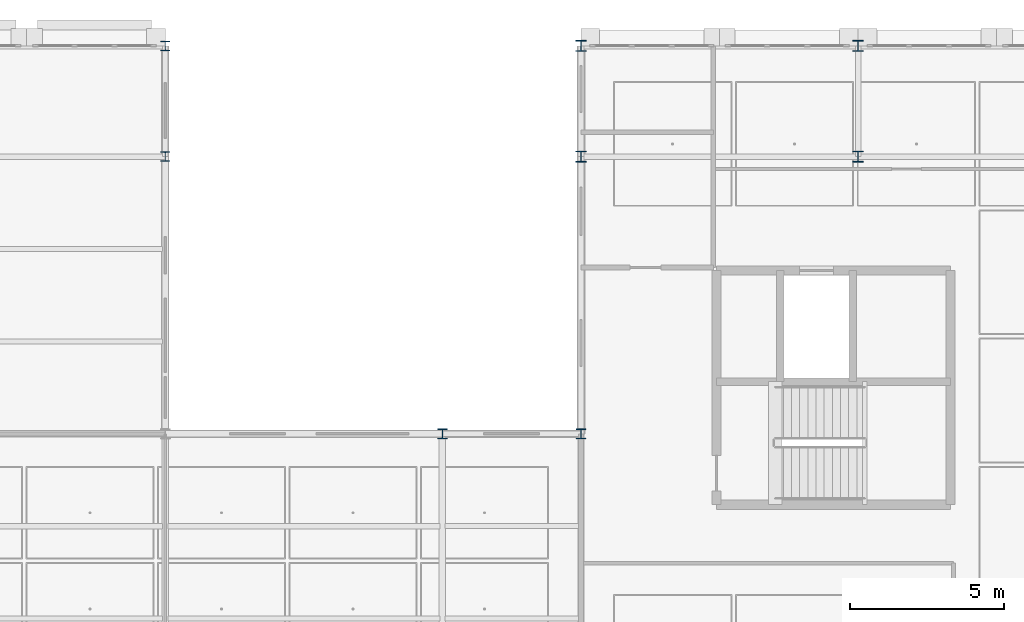
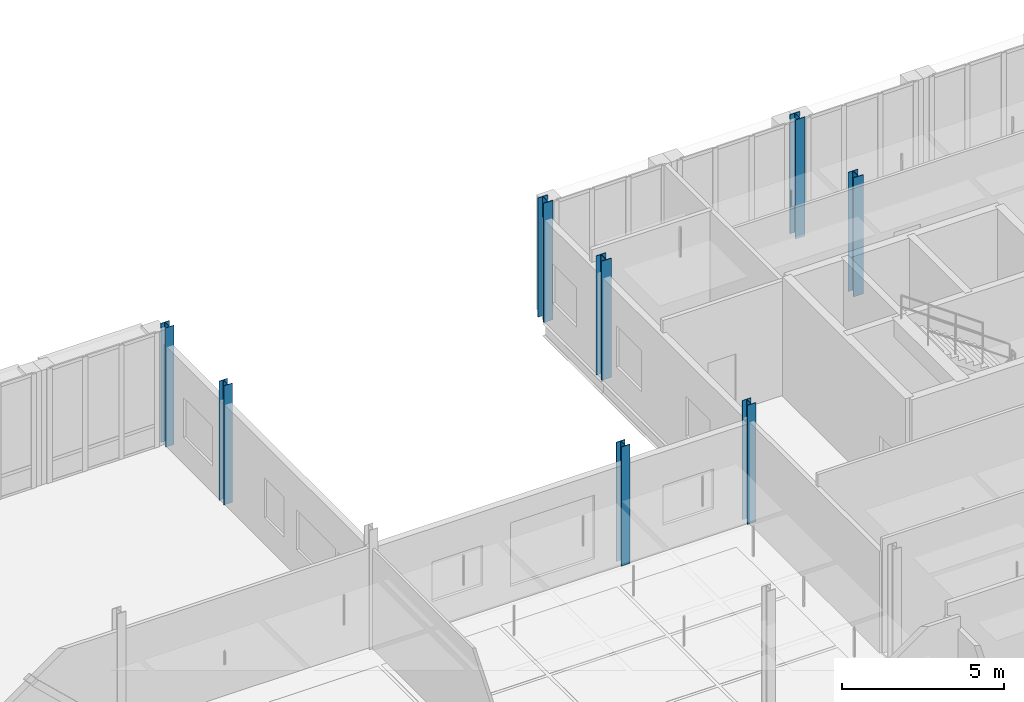
# One storey, part 18 of 130: 8 columns.
"""IFC4 building model written with IfcOpenShell, lengths in metres."""

from ifc_helpers import new_model, si_unit, direction, frame, origin, origin_2d, place, context, subcontext, project, spatial, i_section, extrude, material, material_profile, profile_set, type_object, element, save


model = new_model("IFC4")

# Units and contexts
model_context = context("Model", 3, precision=1e-05, world=origin(), true_north=direction((0.0, 1.0)))
body_context = subcontext(model_context, "Body", "Model", "MODEL_VIEW")
ifc_project = project(units=[si_unit("LENGTHUNIT", "METRE"), si_unit("AREAUNIT", "SQUARE_METRE"), si_unit("VOLUMEUNIT", "CUBIC_METRE"), si_unit("PLANEANGLEUNIT", "RADIAN"), si_unit("MASSUNIT", "GRAM", prefix="KILO"), si_unit("THERMODYNAMICTEMPERATUREUNIT", "KELVIN"), si_unit("POWERUNIT", "WATT")], contexts=[model_context])

# Site, building, storey
site_placement = place(None, origin())
site = spatial("IfcSite", under=ifc_project, at=site_placement, CompositionType="ELEMENT")
building_placement = place(site_placement, origin())
building = spatial("IfcBuilding", under=site, at=building_placement, Name="Tallowbark Science Centre", CompositionType="ELEMENT")
storey_placement = place(building_placement, frame((0.0, 0.0, 5.39990234375)))
storey = spatial("IfcBuildingStorey", under=building, at=storey_placement, Name="L01", CompositionType="ELEMENT", Elevation=5.39990234375)

# Columns
ifc_material = material(Name="Structural Steel Grade 300PLUS (300 MPa)", Category="steel")
ifc_material_profile_1 = material_profile(ifc_material, i_section(OverallWidth=0.30908203125, OverallDepth=0.320556640625, WebThickness=0.013916015625, FlangeThickness=0.021728515625, FilletRadius=0.0166015625, at=origin_2d()), Name="310UC137")
ifc_profile_set_1 = profile_set([ifc_material_profile_1], Name="Structural Steel Grade 300PLUS (300 MPa)")
column_type_1 = type_object("IfcColumnType", Name="COL-UC310B", PredefinedType="COLUMN", material=ifc_profile_set_1)
for number, where, z_axis, x_axis, name in (
    (1, (108.0, 99.0, 0.0), (0.0, 0.0, 1.0), (1.0, 0.0, 0.0), "Column LAB-7_3 L01"),
    (2, (112.5, 99.0, 0.0), (0.0, 0.0, 1.0), (1.0, 0.0, 0.0), "Column LAB-8_3 L01"),
):
    element("IfcColumn", number, at=place(storey_placement, frame(where, z_axis=z_axis, x_axis=x_axis)), inside=storey, type_object=column_type_1, Name=name, PredefinedType="COLUMN", context=body_context, shape_type="SweptSolid", body=[
        extrude(i_section(OverallWidth=0.30908203125, OverallDepth=0.320556640625, WebThickness=0.013916015625, FlangeThickness=0.021728515625, FilletRadius=0.0166015625, at=origin_2d()), origin(), (0.0, 0.0, 1.0), 4.5),
    ])
ifc_material_profile_2 = material_profile(ifc_material, i_section(OverallWidth=0.304931640625, OverallDepth=0.30810546875, WebThickness=0.010009765625, FlangeThickness=0.015380859375, FilletRadius=0.0166015625, at=origin_2d()), Name="310UC96.8")
ifc_profile_set_2 = profile_set([ifc_material_profile_2], Name="Structural Steel Grade 300PLUS (300 MPa)")
column_type_2 = type_object("IfcColumnType", Name="COL-UC310D", PredefinedType="COLUMN", material=ifc_profile_set_2)
for number, where, z_axis, x_axis, name in (
    (3, (99.0, 108.0, 0.0), (0.0, 0.0, 1.0), (1.0, 0.0, 0.0), "Column LAB-6_4 L01"),
    (4, (99.0, 111.60009765625, 0.0), (0.0, 0.0, 1.0), (1.0, 0.0, 0.0), "Column LAB-6_5 L01"),
):
    element("IfcColumn", number, at=place(storey_placement, frame(where, z_axis=z_axis, x_axis=x_axis)), inside=storey, type_object=column_type_2, Name=name, PredefinedType="COLUMN", context=body_context, shape_type="SweptSolid", body=[
        extrude(i_section(OverallWidth=0.304931640625, OverallDepth=0.30810546875, WebThickness=0.010009765625, FlangeThickness=0.015380859375, FilletRadius=0.0166015625, at=origin_2d()), origin(), (0.0, 0.0, 1.0), 4.5),
    ])
ifc_material_profile_3 = material_profile(ifc_material, i_section(OverallWidth=0.35009765625, OverallDepth=0.35888671875, WebThickness=0.01611328125, FlangeThickness=0.02392578125, FilletRadius=0.013916015625, at=origin_2d()), Name="350WC197")
ifc_profile_set_3 = profile_set([ifc_material_profile_3], Name="Structural Steel Grade 300PLUS (300 MPa)")
column_type_3 = type_object("IfcColumnType", Name="COL-WC350", PredefinedType="COLUMN", material=ifc_profile_set_3)
for number, where, z_axis, x_axis, name in (
    (5, (112.5, 108.0, 0.0), (0.0, 0.0, 1.0), (1.0, 0.0, 0.0), "Column OBS-0_4 L01"),
    (6, (112.5, 111.60009765625, 0.0), (0.0, 0.0, 1.0), (1.0, 0.0, 0.0), "Column OBS-0_5 L01"),
    (7, (121.5, 108.0, 0.0), (0.0, 0.0, 1.0), (1.0, 0.0, 0.0), "Column OBS-1_4 L01"),
    (8, (121.5, 111.60009765625, 0.0), (0.0, 0.0, 1.0), (1.0, 0.0, 0.0), "Column OBS-1_5 L01"),
):
    element("IfcColumn", number, at=place(storey_placement, frame(where, z_axis=z_axis, x_axis=x_axis)), inside=storey, type_object=column_type_3, Name=name, PredefinedType="COLUMN", context=body_context, shape_type="SweptSolid", body=[
        extrude(i_section(OverallWidth=0.35009765625, OverallDepth=0.35888671875, WebThickness=0.01611328125, FlangeThickness=0.02392578125, FilletRadius=0.013916015625, at=origin_2d()), origin(), (0.0, 0.0, 1.0), 4.5),
    ])

save(model, "model.ifc")
